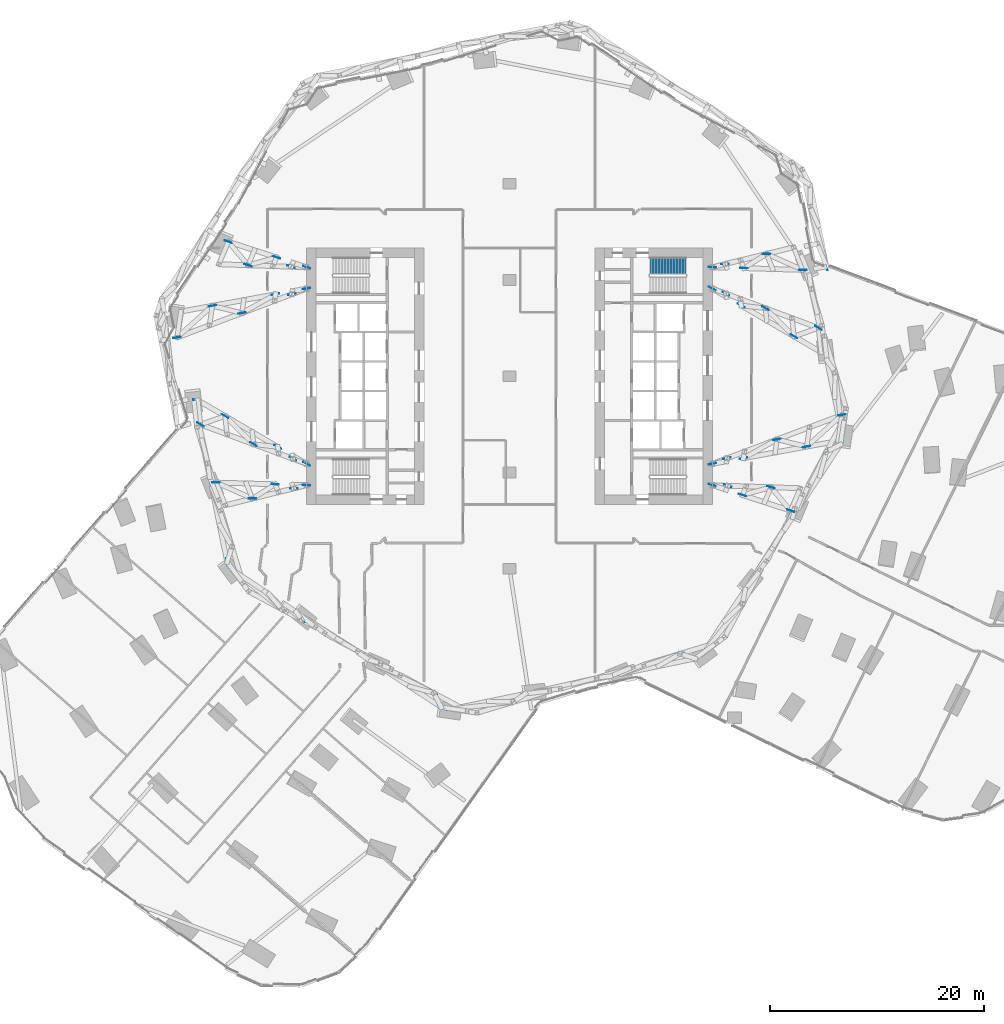
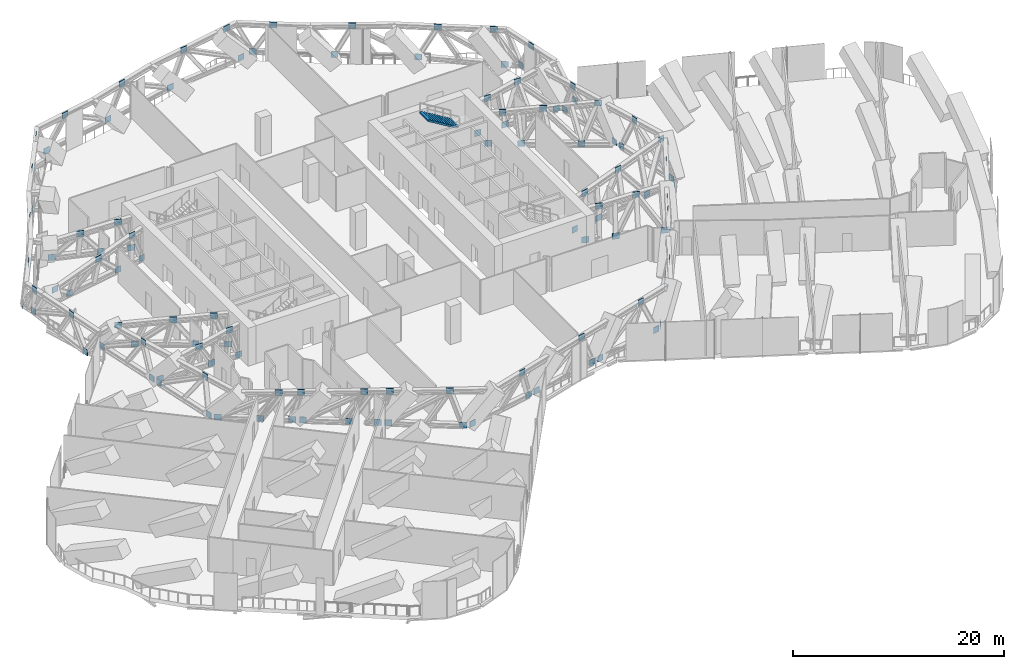
# One storey, part 31 of 34: 3 discrete accessories, 1 stair flight, 1 element without a shape of its own.
"""IFC4 building model written with IfcOpenShell, lengths in metres."""

from ifc_helpers import new_model, si_unit, direction, frame, origin, origin_2d, place, context, subcontext, project, spatial, polyline, rectangle, outline, extrude, material, layer, layer_set, type_object, element, aggregate, save


model = new_model("IFC4")

# Units and contexts
model_context = context("Model", 3, precision=1e-05, world=origin(), true_north=direction((0.0, 1.0)))
body_context = subcontext(model_context, "Body", "Model", "MODEL_VIEW")
ifc_project = project(units=[si_unit("LENGTHUNIT", "METRE"), si_unit("AREAUNIT", "SQUARE_METRE"), si_unit("VOLUMEUNIT", "CUBIC_METRE"), si_unit("PLANEANGLEUNIT", "RADIAN"), si_unit("MASSUNIT", "GRAM", prefix="KILO")], contexts=[model_context])

# Site, building, storey
site_placement = place(None, origin())
site = spatial("IfcSite", under=ifc_project, at=site_placement, CompositionType="ELEMENT")
building_placement = place(site_placement, origin())
building = spatial("IfcBuilding", under=site, at=building_placement, Name="Orlundy Tower", CompositionType="ELEMENT")
storey_placement = place(building_placement, frame((0.0, 0.0, 76.300048828125)))
storey = spatial("IfcBuildingStorey", under=building, at=storey_placement, Name="L18", CompositionType="ELEMENT", Elevation=76.300048828125)

# Stair, stair flight
ifc_material_1 = material(Name="Concrete C50/60", Category="concrete")
stair_type = type_object("IfcStairType", Name="Exit Stair 26 risers", PredefinedType="HALF_TURN_STAIR", material=ifc_material_1)
stair_placement = place(storey_placement, origin())
stair = element("IfcStair", 1, at=stair_placement, inside=storey, type_object=stair_type, Name="L18 Exit Stair ST-E2", PredefinedType="HALF_TURN_STAIR")
ifc_material_2 = material(Name="Concrete C50/60", Category="concrete")
stair_flight_type = type_object("IfcStairFlightType", Name="Stair Flight 13 risers", PredefinedType="STRAIGHT", material=ifc_material_2)
stair_flight_placement = place(storey_placement, frame((16.5, 10.300048828125, 2.199951171875), z_axis=(0.0, 0.0, 1.0), x_axis=(-1.0, 0.0, 0.0)))
stair_flight = element("IfcStairFlight", 2, at=stair_flight_placement, type_object=stair_flight_type, Name="ST-E2 flight 2", NumberOfRisers=13, NumberOfTreads=12, PredefinedType="STRAIGHT", RiserHeight=0.169230769, TreadLength=0.28, context=body_context, shape_type="SweptSolid", body=[
    extrude(outline(polyline([(0.0, 0.0), (0.0, 0.169189453125), (0.280029296875, 0.169189453125), (0.280029296875, 0.33837890625), (0.56005859375, 0.33837890625), (0.56005859375, 0.5078125), (0.840087890625, 0.5078125), (0.840087890625, 0.677001953125), (1.1201171875, 0.677001953125), (1.1201171875, 0.84619140625), (1.39990234375, 0.84619140625), (1.39990234375, 1.015380859375), (1.679931640625, 1.015380859375), (1.679931640625, 1.1845703125), (1.9599609375, 1.1845703125), (1.9599609375, 1.353759765625), (2.239990234375, 1.353759765625), (2.239990234375, 1.523193359375), (2.52001953125, 1.523193359375), (2.52001953125, 1.6923828125), (2.800048828125, 1.6923828125), (2.800048828125, 1.861572265625), (3.080078125, 1.861572265625), (3.080078125, 2.03076171875), (3.360107421875, 2.03076171875), (3.360107421875, 2.199951171875), (3.360107421875, 1.855712890625), (0.289794921875, 0.0), (0.0, 0.0)])), frame((0.0, 0.800048828125, 0.0), z_axis=(0.0, -1.0, 0.0), x_axis=(1.0, 0.0, 0.0)), (0.0, 0.0, 1.0), 1.60009765625),
])
aggregate(stair, [stair_flight])

# Discrete accessories
ifc_material_3 = material(Name="Steel ASTM A572 Gr 50", Category="steel")
ifc_layer = layer(ifc_material_3, 0.0400390625)
ifc_layer_set = layer_set([ifc_layer], Name="CONNECTION PLATES")
discrete_accessory_type = type_object("IfcDiscreteAccessoryType", Name="CONNECTION PLATES", PredefinedType="ANCHORPLATE", material=ifc_layer_set)
discrete_accessory_1_placement = place(storey_placement, frame((0.0, 0.0, -76.300048828125)))
element("IfcDiscreteAccessory", 3, at=discrete_accessory_1_placement, inside=storey, type_object=discrete_accessory_type, Name="Connection plates BELT-L18", PredefinedType="ANCHORPLATE", context=body_context, shape_type="SweptSolid", body=[
    extrude(rectangle(XDim=0.699951171875, YDim=0.0400390625, at=origin_2d()), frame((-29.500244140625, -2.482666015625, 76.23486328125), z_axis=(0.0, 0.0, 1.0), x_axis=(0.202701841274, -0.979240503423, 0.0)), (0.0, 0.0, 1.0), 0.699951171875),
    extrude(rectangle(XDim=0.699951171875, YDim=0.0400390625, at=origin_2d()), frame((-28.22607421875, -8.157470703125, 79.6650390625), z_axis=(0.0, 0.0, 1.0), x_axis=(0.202701841274, -0.979240503423, 0.0)), (0.0, 0.0, 1.0), 0.699951171875),
    extrude(rectangle(XDim=0.699951171875, YDim=0.0400390625, at=origin_2d()), frame((-28.060791015625, -9.43701171875, 76.23486328125), z_axis=(0.0, 0.0, 1.0), x_axis=(0.202701841274, -0.979240503423, 0.0)), (0.0, 0.0, 1.0), 0.699951171875),
    extrude(rectangle(XDim=0.699951171875, YDim=0.0400390625, at=origin_2d()), frame((-27.85498046875, -10.430908203125, 76.23486328125), z_axis=(0.0, 0.0, 1.0), x_axis=(0.202736023092, -0.979233427197, 0.0)), (0.0, 0.0, 1.0), 0.699951171875),
    extrude(rectangle(XDim=0.699951171875, YDim=0.0400390625, at=origin_2d()), frame((-25.973876953125, -15.951416015625, 79.6650390625), z_axis=(0.0, 0.0, 1.0), x_axis=(0.202736023092, -0.979233427197, 0.0)), (0.0, 0.0, 1.0), 0.699951171875),
    extrude(rectangle(XDim=0.699951171875, YDim=0.0400390625, at=origin_2d()), frame((-26.415283203125, -17.38427734375, 76.23486328125), z_axis=(0.0, 0.0, 1.0), x_axis=(0.202736023092, -0.979233427197, 0.0)), (0.0, 0.0, 1.0), 0.699951171875),
    extrude(rectangle(XDim=0.699951171875, YDim=0.0400390625, at=origin_2d()), frame((-25.88818359375, -18.159912109375, 76.23486328125), z_axis=(0.0, 0.0, 1.0), x_axis=(0.835788196347, -0.549051992844, 0.0)), (0.0, 0.0, 1.0), 0.699951171875),
    extrude(rectangle(XDim=0.699951171875, YDim=0.0400390625, at=origin_2d()), frame((-21.29541015625, -21.80810546875, 79.6650390625), z_axis=(0.0, 0.0, 1.0), x_axis=(0.835788196347, -0.549051992844, 0.0)), (0.0, 0.0, 1.0), 0.699951171875),
    extrude(rectangle(XDim=0.699951171875, YDim=0.0400390625, at=origin_2d()), frame((-22.49755859375, -20.387451171875, 76.23486328125), z_axis=(0.0, 0.0, 1.0), x_axis=(0.835788196347, -0.549051992844, 0.0)), (0.0, 0.0, 1.0), 0.699951171875),
    extrude(rectangle(XDim=0.699951171875, YDim=0.0400390625, at=origin_2d()), frame((-19.43994140625, -22.80517578125, 79.6650390625), z_axis=(0.0, 0.0, 1.0), x_axis=(0.835788196347, -0.549051992844, 0.0)), (0.0, 0.0, 1.0), 0.699951171875),
    extrude(rectangle(XDim=0.699951171875, YDim=0.0400390625, at=origin_2d()), frame((-19.952880859375, -22.05908203125, 76.23486328125), z_axis=(0.0, 0.0, 1.0), x_axis=(0.835788196347, -0.549051992844, 0.0)), (0.0, 0.0, 1.0), 0.699951171875),
    extrude(rectangle(XDim=0.699951171875, YDim=0.0400390625, at=origin_2d()), frame((-19.1044921875, -22.6162109375, 76.23486328125), z_axis=(0.0, 0.0, 1.0), x_axis=(0.835845688355, -0.548964466299, 0.0)), (0.0, 0.0, 1.0), 0.699951171875),
    extrude(rectangle(XDim=0.699951171875, YDim=0.0400390625, at=origin_2d()), frame((-14.19091796875, -25.726806640625, 79.6650390625), z_axis=(0.0, 0.0, 1.0), x_axis=(0.835845688355, -0.548964466299, 0.0)), (0.0, 0.0, 1.0), 0.699951171875),
    extrude(rectangle(XDim=0.699951171875, YDim=0.0400390625, at=origin_2d()), frame((-15.4501953125, -25.016357421875, 76.23486328125), z_axis=(0.0, 0.0, 1.0), x_axis=(0.835845688355, -0.548964466299, 0.0)), (0.0, 0.0, 1.0), 0.699951171875),
    extrude(rectangle(XDim=0.699951171875, YDim=0.0400390625, at=origin_2d()), frame((-12.057373046875, -26.872802734375, 79.6650390625), z_axis=(0.0, 0.0, 1.0), x_axis=(0.835845688355, -0.548964466299, 0.0)), (0.0, 0.0, 1.0), 0.699951171875),
    extrude(rectangle(XDim=0.699951171875, YDim=0.0400390625, at=origin_2d()), frame((-13.169189453125, -26.514404296875, 76.23486328125), z_axis=(0.0, 0.0, 1.0), x_axis=(0.835845688355, -0.548964466299, 0.0)), (0.0, 0.0, 1.0), 0.699951171875),
    extrude(rectangle(XDim=0.699951171875, YDim=0.0400390625, at=origin_2d()), frame((-12.321044921875, -27.07177734375, 76.23486328125), z_axis=(0.0, 0.0, 1.0), x_axis=(0.835788196347, -0.549051992844, 0.0)), (0.0, 0.0, 1.0), 0.699951171875),
    extrude(rectangle(XDim=0.699951171875, YDim=0.0400390625, at=origin_2d()), frame((-7.08642578125, -29.6455078125, 79.6650390625), z_axis=(0.0, 0.0, 1.0), x_axis=(0.835788196347, -0.549051992844, 0.0)), (0.0, 0.0, 1.0), 0.699951171875),
    extrude(rectangle(XDim=0.699951171875, YDim=0.0400390625, at=origin_2d()), frame((-6.3857421875, -30.970947265625, 76.23486328125), z_axis=(0.0, 0.0, 1.0), x_axis=(0.835788196347, -0.549051992844, 0.0)), (0.0, 0.0, 1.0), 0.699951171875),
    extrude(rectangle(XDim=0.699951171875, YDim=0.0400390625, at=origin_2d()), frame((-5.464599609375, -31.146484375, 76.23486328125), z_axis=(0.0, 0.0, 1.0), x_axis=(0.979208651012, 0.202855657511, 0.0)), (0.0, 0.0, 1.0), 0.699951171875),
    extrude(rectangle(XDim=0.699951171875, YDim=0.0400390625, at=origin_2d()), frame((0.36279296875, -30.478515625, 79.6650390625), z_axis=(0.0, 0.0, 1.0), x_axis=(0.979208651012, 0.202855657511, 0.0)), (0.0, 0.0, 1.0), 0.699951171875),
    extrude(rectangle(XDim=0.699951171875, YDim=0.0400390625, at=origin_2d()), frame((1.48876953125, -29.7060546875, 76.23486328125), z_axis=(0.0, 0.0, 1.0), x_axis=(0.979208651012, 0.202855657511, 0.0)), (0.0, 0.0, 1.0), 0.699951171875),
    extrude(rectangle(XDim=0.699951171875, YDim=0.0400390625, at=origin_2d()), frame((2.482666015625, -29.500244140625, 76.23486328125), z_axis=(0.0, 0.0, 1.0), x_axis=(0.979240503423, 0.202701841274, 0.0)), (0.0, 0.0, 1.0), 0.699951171875),
    extrude(rectangle(XDim=0.699951171875, YDim=0.0400390625, at=origin_2d()), frame((8.157470703125, -28.22607421875, 79.6650390625), z_axis=(0.0, 0.0, 1.0), x_axis=(0.979240503423, 0.202701841274, 0.0)), (0.0, 0.0, 1.0), 0.699951171875),
    extrude(rectangle(XDim=0.699951171875, YDim=0.0400390625, at=origin_2d()), frame((9.43701171875, -28.060791015625, 76.23486328125), z_axis=(0.0, 0.0, 1.0), x_axis=(0.979240503423, 0.202701841274, 0.0)), (0.0, 0.0, 1.0), 0.699951171875),
    extrude(rectangle(XDim=0.699951171875, YDim=0.0400390625, at=origin_2d()), frame((10.430908203125, -27.85498046875, 76.23486328125), z_axis=(0.0, 0.0, 1.0), x_axis=(0.979233427197, 0.202736023092, 0.0)), (0.0, 0.0, 1.0), 0.699951171875),
    extrude(rectangle(XDim=0.699951171875, YDim=0.0400390625, at=origin_2d()), frame((15.951416015625, -25.973876953125, 79.6650390625), z_axis=(0.0, 0.0, 1.0), x_axis=(0.979233427197, 0.202736023092, 0.0)), (0.0, 0.0, 1.0), 0.699951171875),
    extrude(rectangle(XDim=0.699951171875, YDim=0.0400390625, at=origin_2d()), frame((17.38427734375, -26.415283203125, 76.23486328125), z_axis=(0.0, 0.0, 1.0), x_axis=(0.979233427197, 0.202736023092, 0.0)), (0.0, 0.0, 1.0), 0.699951171875),
    extrude(rectangle(XDim=0.699951171875, YDim=0.0400390625, at=origin_2d()), frame((18.159912109375, -25.88818359375, 76.23486328125), z_axis=(0.0, 0.0, 1.0), x_axis=(0.549051992844, 0.835788196347, 0.0)), (0.0, 0.0, 1.0), 0.699951171875),
    extrude(rectangle(XDim=0.699951171875, YDim=0.0400390625, at=origin_2d()), frame((21.80810546875, -21.29541015625, 79.6650390625), z_axis=(0.0, 0.0, 1.0), x_axis=(0.549051992844, 0.835788196347, 0.0)), (0.0, 0.0, 1.0), 0.699951171875),
    extrude(rectangle(XDim=0.699951171875, YDim=0.0400390625, at=origin_2d()), frame((22.05908203125, -19.952880859375, 76.23486328125), z_axis=(0.0, 0.0, 1.0), x_axis=(0.549051992844, 0.835788196347, 0.0)), (0.0, 0.0, 1.0), 0.699951171875),
    extrude(rectangle(XDim=0.699951171875, YDim=0.0400390625, at=origin_2d()), frame((22.6162109375, -19.1044921875, 76.23486328125), z_axis=(0.0, 0.0, 1.0), x_axis=(0.548964466299, 0.835845688355, 0.0)), (0.0, 0.0, 1.0), 0.699951171875),
    extrude(rectangle(XDim=0.699951171875, YDim=0.0400390625, at=origin_2d()), frame((25.726806640625, -14.19091796875, 79.6650390625), z_axis=(0.0, 0.0, 1.0), x_axis=(0.548964466299, 0.835845688355, 0.0)), (0.0, 0.0, 1.0), 0.699951171875),
    extrude(rectangle(XDim=0.699951171875, YDim=0.0400390625, at=origin_2d()), frame((24.785888671875, -15.801513671875, 76.23486328125), z_axis=(0.0, 0.0, 1.0), x_axis=(0.548964466299, 0.835845688355, 0.0)), (0.0, 0.0, 1.0), 0.699951171875),
    extrude(rectangle(XDim=0.699951171875, YDim=0.0400390625, at=origin_2d()), frame((26.674072265625, -12.427490234375, 79.6650390625), z_axis=(0.0, 0.0, 1.0), x_axis=(0.548964466299, 0.835845688355, 0.0)), (0.0, 0.0, 1.0), 0.699951171875),
    extrude(rectangle(XDim=0.699951171875, YDim=0.0400390625, at=origin_2d()), frame((26.514404296875, -13.169189453125, 76.23486328125), z_axis=(0.0, 0.0, 1.0), x_axis=(0.548964466299, 0.835845688355, 0.0)), (0.0, 0.0, 1.0), 0.699951171875),
    extrude(rectangle(XDim=0.699951171875, YDim=0.0400390625, at=origin_2d()), frame((27.07177734375, -12.321044921875, 76.23486328125), z_axis=(0.0, 0.0, 1.0), x_axis=(0.549051992844, 0.835788196347, 0.0)), (0.0, 0.0, 1.0), 0.699951171875),
    extrude(rectangle(XDim=0.699951171875, YDim=0.0400390625, at=origin_2d()), frame((29.6455078125, -7.08642578125, 79.6650390625), z_axis=(0.0, 0.0, 1.0), x_axis=(0.549051992844, 0.835788196347, 0.0)), (0.0, 0.0, 1.0), 0.699951171875),
    extrude(rectangle(XDim=0.699951171875, YDim=0.0400390625, at=origin_2d()), frame((30.970947265625, -6.3857421875, 76.23486328125), z_axis=(0.0, 0.0, 1.0), x_axis=(0.549051992844, 0.835788196347, 0.0)), (0.0, 0.0, 1.0), 0.699951171875),
    extrude(rectangle(XDim=0.699951171875, YDim=0.0400390625, at=origin_2d()), frame((31.146484375, -5.464599609375, 76.23486328125), z_axis=(0.0, 0.0, 1.0), x_axis=(-0.202855657511, 0.979208651012, 0.0)), (0.0, 0.0, 1.0), 0.699951171875),
    extrude(rectangle(XDim=0.699951171875, YDim=0.0400390625, at=origin_2d()), frame((30.478515625, 0.36279296875, 79.6650390625), z_axis=(0.0, 0.0, 1.0), x_axis=(-0.202855657511, 0.979208651012, 0.0)), (0.0, 0.0, 1.0), 0.699951171875),
    extrude(rectangle(XDim=0.699951171875, YDim=0.0400390625, at=origin_2d()), frame((29.7060546875, 1.48876953125, 76.23486328125), z_axis=(0.0, 0.0, 1.0), x_axis=(-0.202855657511, 0.979208651012, 0.0)), (0.0, 0.0, 1.0), 0.699951171875),
    extrude(rectangle(XDim=0.699951171875, YDim=0.0400390625, at=origin_2d()), frame((29.500244140625, 2.482666015625, 76.23486328125), z_axis=(0.0, 0.0, 1.0), x_axis=(-0.202701841274, 0.979240503423, 0.0)), (0.0, 0.0, 1.0), 0.699951171875),
    extrude(rectangle(XDim=0.699951171875, YDim=0.0400390625, at=origin_2d()), frame((28.22607421875, 8.157470703125, 79.6650390625), z_axis=(0.0, 0.0, 1.0), x_axis=(-0.202701841274, 0.979240503423, 0.0)), (0.0, 0.0, 1.0), 0.699951171875),
    extrude(rectangle(XDim=0.699951171875, YDim=0.0400390625, at=origin_2d()), frame((28.060791015625, 9.43701171875, 76.23486328125), z_axis=(0.0, 0.0, 1.0), x_axis=(-0.202701841274, 0.979240503423, 0.0)), (0.0, 0.0, 1.0), 0.699951171875),
    extrude(rectangle(XDim=0.699951171875, YDim=0.0400390625, at=origin_2d()), frame((29.6708984375, 10.27734375, 76.23486328125), z_axis=(0.0, 0.0, 1.0), x_axis=(-0.196493792197, 0.98050506864, 0.0)), (0.0, 0.0, 1.0), 0.699951171875),
    extrude(rectangle(XDim=0.699951171875, YDim=0.0400390625, at=origin_2d()), frame((28.115478515625, 15.87939453125, 79.6650390625), z_axis=(0.0, 0.0, 1.0), x_axis=(-0.196493792197, 0.98050506864, 0.0)), (0.0, 0.0, 1.0), 0.699951171875),
    extrude(rectangle(XDim=0.699951171875, YDim=0.0400390625, at=origin_2d()), frame((28.146484375, 17.884033203125, 76.23486328125), z_axis=(0.0, 0.0, 1.0), x_axis=(-0.196493792197, 0.98050506864, 0.0)), (0.0, 0.0, 1.0), 0.699951171875),
    extrude(rectangle(XDim=0.699951171875, YDim=0.0400390625, at=origin_2d()), frame((26.4150390625, 20.028564453125, 79.6650390625), z_axis=(0.0, 0.0, 1.0), x_axis=(-0.832321925888, 0.55429253259, 0.0)), (0.0, 0.0, 1.0), 0.699951171875),
    extrude(rectangle(XDim=0.699951171875, YDim=0.0400390625, at=origin_2d()), frame((26.877197265625, 18.7294921875, 76.23486328125), z_axis=(0.0, 0.0, 1.0), x_axis=(-0.832321925888, 0.55429253259, 0.0)), (0.0, 0.0, 1.0), 0.699951171875),
    extrude(rectangle(XDim=0.699951171875, YDim=0.0400390625, at=origin_2d()), frame((21.99951171875, 23.025146484375, 79.6650390625), z_axis=(0.0, 0.0, 1.0), x_axis=(-0.781422464, 0.624002349961, 0.0)), (0.0, 0.0, 1.0), 0.699951171875),
    extrude(rectangle(XDim=0.699951171875, YDim=0.0400390625, at=origin_2d()), frame((20.3720703125, 23.924072265625, 76.23486328125), z_axis=(0.0, 0.0, 1.0), x_axis=(-0.781422464, 0.624002349961, 0.0)), (0.0, 0.0, 1.0), 0.699951171875),
    extrude(rectangle(XDim=0.699951171875, YDim=0.0400390625, at=origin_2d()), frame((15.09716796875, 27.247314453125, 79.6650390625), z_axis=(0.0, 0.0, 1.0), x_axis=(-0.838680073562, 0.544624397369, 0.0)), (0.0, 0.0, 1.0), 0.699951171875),
    extrude(rectangle(XDim=0.699951171875, YDim=0.0400390625, at=origin_2d()), frame((13.714111328125, 28.247802734375, 76.23486328125), z_axis=(0.0, 0.0, 1.0), x_axis=(-0.838680073562, 0.544624397369, 0.0)), (0.0, 0.0, 1.0), 0.699951171875),
    extrude(rectangle(XDim=0.699951171875, YDim=0.0400390625, at=origin_2d()), frame((8.65234375, 31.10888671875, 79.6650390625), z_axis=(0.0, 0.0, 1.0), x_axis=(-0.832263875946, 0.554379690099, 0.0)), (0.0, 0.0, 1.0), 0.699951171875),
    extrude(rectangle(XDim=0.699951171875, YDim=0.0400390625, at=origin_2d()), frame((7.258056640625, 32.548095703125, 76.23486328125), z_axis=(0.0, 0.0, 1.0), x_axis=(-0.832263875946, 0.554379690099, 0.0)), (0.0, 0.0, 1.0), 0.699951171875),
    extrude(rectangle(XDim=0.699951171875, YDim=0.0400390625, at=origin_2d()), frame((4.515869140625, 32.840576171875, 79.6650390625), z_axis=(0.0, 0.0, 1.0), x_axis=(-0.98051192697, -0.196459565994, 0.0)), (0.0, 0.0, 1.0), 0.699951171875),
    extrude(rectangle(XDim=0.699951171875, YDim=0.0400390625, at=origin_2d()), frame((5.761474609375, 32.248291015625, 76.23486328125), z_axis=(0.0, 0.0, 1.0), x_axis=(-0.98051192697, -0.196459565994, 0.0)), (0.0, 0.0, 1.0), 0.699951171875),
    extrude(rectangle(XDim=0.699951171875, YDim=0.0400390625, at=origin_2d()), frame((-0.7255859375, 31.837158203125, 79.6650390625), z_axis=(0.0, 0.0, 1.0), x_axis=(-0.993785416399, -0.111312830132, 0.0)), (0.0, 0.0, 1.0), 0.699951171875),
    extrude(rectangle(XDim=0.699951171875, YDim=0.0400390625, at=origin_2d()), frame((-2.51123046875, 31.32177734375, 76.23486328125), z_axis=(0.0, 0.0, 1.0), x_axis=(-0.993785416399, -0.111312830132, 0.0)), (0.0, 0.0, 1.0), 0.699951171875),
    extrude(rectangle(XDim=0.699951171875, YDim=0.0400390625, at=origin_2d()), frame((-8.591796875, 29.94189453125, 79.6650390625), z_axis=(0.0, 0.0, 1.0), x_axis=(-0.978143971841, -0.207928762682, 0.0)), (0.0, 0.0, 1.0), 0.699951171875),
    extrude(rectangle(XDim=0.699951171875, YDim=0.0400390625, at=origin_2d()), frame((-10.27734375, 29.6708984375, 76.23486328125), z_axis=(0.0, 0.0, 1.0), x_axis=(-0.978143971841, -0.207928762682, 0.0)), (0.0, 0.0, 1.0), 0.699951171875),
    extrude(rectangle(XDim=0.699951171875, YDim=0.0400390625, at=origin_2d()), frame((-15.87939453125, 28.115478515625, 79.6650390625), z_axis=(0.0, 0.0, 1.0), x_axis=(-0.980508497954, -0.196476679125, 0.0)), (0.0, 0.0, 1.0), 0.699951171875),
    extrude(rectangle(XDim=0.699951171875, YDim=0.0400390625, at=origin_2d()), frame((-17.884033203125, 28.146484375, 76.23486328125), z_axis=(0.0, 0.0, 1.0), x_axis=(-0.980508497954, -0.196476679125, 0.0)), (0.0, 0.0, 1.0), 0.699951171875),
    extrude(rectangle(XDim=0.699951171875, YDim=0.0400390625, at=origin_2d()), frame((-20.028564453125, 26.4150390625, 79.6650390625), z_axis=(0.0, 0.0, 1.0), x_axis=(-0.55429253259, -0.832321925888, 0.0)), (0.0, 0.0, 1.0), 0.699951171875),
    extrude(rectangle(XDim=0.699951171875, YDim=0.0400390625, at=origin_2d()), frame((-18.7294921875, 26.877197265625, 76.23486328125), z_axis=(0.0, 0.0, 1.0), x_axis=(-0.55429253259, -0.832321925888, 0.0)), (0.0, 0.0, 1.0), 0.699951171875),
    extrude(rectangle(XDim=0.699951171875, YDim=0.0400390625, at=origin_2d()), frame((-23.025146484375, 21.99951171875, 79.6650390625), z_axis=(0.0, 0.0, 1.0), x_axis=(-0.624002349961, -0.781422464, 0.0)), (0.0, 0.0, 1.0), 0.699951171875),
    extrude(rectangle(XDim=0.699951171875, YDim=0.0400390625, at=origin_2d()), frame((-23.924072265625, 20.3720703125, 76.23486328125), z_axis=(0.0, 0.0, 1.0), x_axis=(-0.624002349961, -0.781422464, 0.0)), (0.0, 0.0, 1.0), 0.699951171875),
    extrude(rectangle(XDim=0.699951171875, YDim=0.0400390625, at=origin_2d()), frame((-27.247314453125, 15.09716796875, 79.6650390625), z_axis=(0.0, 0.0, 1.0), x_axis=(-0.544624397369, -0.838680073562, 0.0)), (0.0, 0.0, 1.0), 0.699951171875),
    extrude(rectangle(XDim=0.699951171875, YDim=0.0400390625, at=origin_2d()), frame((-28.247802734375, 13.714111328125, 76.23486328125), z_axis=(0.0, 0.0, 1.0), x_axis=(-0.544624397369, -0.838680073562, 0.0)), (0.0, 0.0, 1.0), 0.699951171875),
    extrude(rectangle(XDim=0.699951171875, YDim=0.0400390625, at=origin_2d()), frame((-31.10888671875, 8.65234375, 79.6650390625), z_axis=(0.0, 0.0, 1.0), x_axis=(-0.554379690099, -0.832263875946, 0.0)), (0.0, 0.0, 1.0), 0.699951171875),
    extrude(rectangle(XDim=0.699951171875, YDim=0.0400390625, at=origin_2d()), frame((-32.548095703125, 7.258056640625, 76.23486328125), z_axis=(0.0, 0.0, 1.0), x_axis=(-0.554379690099, -0.832263875946, 0.0)), (0.0, 0.0, 1.0), 0.699951171875),
    extrude(rectangle(XDim=0.699951171875, YDim=0.0400390625, at=origin_2d()), frame((-32.840576171875, 4.515869140625, 79.6650390625), z_axis=(0.0, 0.0, 1.0), x_axis=(0.196459565994, -0.98051192697, 0.0)), (0.0, 0.0, 1.0), 0.699951171875),
    extrude(rectangle(XDim=0.699951171875, YDim=0.0400390625, at=origin_2d()), frame((-32.248291015625, 5.761474609375, 76.23486328125), z_axis=(0.0, 0.0, 1.0), x_axis=(0.196459565994, -0.98051192697, 0.0)), (0.0, 0.0, 1.0), 0.699951171875),
    extrude(rectangle(XDim=0.699951171875, YDim=0.0400390625, at=origin_2d()), frame((-31.837158203125, -0.7255859375, 79.6650390625), z_axis=(0.0, 0.0, 1.0), x_axis=(0.111330174943, -0.993783473473, 0.0)), (0.0, 0.0, 1.0), 0.699951171875),
    extrude(rectangle(XDim=0.699951171875, YDim=0.0400390625, at=origin_2d()), frame((-31.321533203125, -2.51123046875, 76.23486328125), z_axis=(0.0, 0.0, 1.0), x_axis=(0.111330174943, -0.993783473473, 0.0)), (0.0, 0.0, 1.0), 0.699951171875),
])
discrete_accessory_2_placement = place(storey_placement, frame((0.0, 0.0, -76.300048828125)))
element("IfcDiscreteAccessory", 4, at=discrete_accessory_2_placement, inside=storey, type_object=discrete_accessory_type, Name="Connection plates OUTRIG-L18-E", PredefinedType="ANCHORPLATE", context=body_context, shape_type="SweptSolid", body=[
    extrude(rectangle(XDim=0.699951171875, YDim=0.0400390625, at=origin_2d()), frame((18.97998046875, -10.199951171875, 76.23486328125), z_axis=(0.0, 0.0, 1.0), x_axis=(0.95082433383, -0.309730667189, 0.0)), (0.0, 0.0, 1.0), 0.699951171875),
    extrude(rectangle(XDim=0.699951171875, YDim=0.0400390625, at=origin_2d()), frame((20.435791015625, -10.249755859375, 79.6650390625), z_axis=(0.0, 0.0, 1.0), x_axis=(0.95082433383, -0.309730667189, 0.0)), (0.0, 0.0, 1.0), 0.699951171875),
    extrude(rectangle(XDim=0.699951171875, YDim=0.0400390625, at=origin_2d()), frame((21.79931640625, -11.118408203125, 76.23486328125), z_axis=(0.0, 0.0, 1.0), x_axis=(0.95082433383, -0.309730667189, 0.0)), (0.0, 0.0, 1.0), 0.699951171875),
    extrude(rectangle(XDim=0.699951171875, YDim=0.0400390625, at=origin_2d()), frame((24.462158203125, -10.387451171875, 79.6650390625), z_axis=(0.0, 0.0, 1.0), x_axis=(0.95082433383, -0.309730667189, 0.0)), (0.0, 0.0, 1.0), 0.699951171875),
    extrude(rectangle(XDim=0.699951171875, YDim=0.0400390625, at=origin_2d()), frame((26.310546875, -12.587890625, 76.23486328125), z_axis=(0.0, 0.0, 1.0), x_axis=(0.95082433383, -0.309730667189, 0.0)), (0.0, 0.0, 1.0), 0.699951171875),
    extrude(rectangle(XDim=0.699951171875, YDim=0.0400390625, at=origin_2d()), frame((18.97998046875, -8.199951171875, 76.23486328125), z_axis=(0.0, 0.0, 1.0), x_axis=(0.983763103207, 0.179471882945, 0.0)), (0.0, 0.0, 1.0), 0.699951171875),
    extrude(rectangle(XDim=0.699951171875, YDim=0.0400390625, at=origin_2d()), frame((20.3603515625, -7.67919921875, 79.6650390625), z_axis=(0.0, 0.0, 1.0), x_axis=(0.983763103207, 0.179471882945, 0.0)), (0.0, 0.0, 1.0), 0.699951171875),
    extrude(rectangle(XDim=0.699951171875, YDim=0.0400390625, at=origin_2d()), frame((21.893798828125, -7.66845703125, 76.23486328125), z_axis=(0.0, 0.0, 1.0), x_axis=(0.983763103207, 0.179471882945, 0.0)), (0.0, 0.0, 1.0), 0.699951171875),
    extrude(rectangle(XDim=0.699951171875, YDim=0.0400390625, at=origin_2d()), frame((25.04296875, -5.912841796875, 79.6650390625), z_axis=(0.0, 0.0, 1.0), x_axis=(0.983763103207, 0.179471882945, 0.0)), (0.0, 0.0, 1.0), 0.699951171875),
    extrude(rectangle(XDim=0.699951171875, YDim=0.0400390625, at=origin_2d()), frame((27.8076171875, -6.589599609375, 76.23486328125), z_axis=(0.0, 0.0, 1.0), x_axis=(0.983763103207, 0.179471882945, 0.0)), (0.0, 0.0, 1.0), 0.699951171875),
    extrude(rectangle(XDim=0.699951171875, YDim=0.0400390625, at=origin_2d()), frame((31.105712890625, -3.62548828125, 79.6650390625), z_axis=(0.0, 0.0, 1.0), x_axis=(0.983763103207, 0.179471882945, 0.0)), (0.0, 0.0, 1.0), 0.699951171875),
    extrude(rectangle(XDim=0.699951171875, YDim=0.0400390625, at=origin_2d()), frame((18.97998046875, 8.199951171875, 76.23486328125), z_axis=(0.0, 0.0, 1.0), x_axis=(0.863166514346, -0.504919368328, 0.0)), (0.0, 0.0, 1.0), 0.699951171875),
    extrude(rectangle(XDim=0.699951171875, YDim=0.0400390625, at=origin_2d()), frame((20.266357421875, 7.722900390625, 79.6650390625), z_axis=(0.0, 0.0, 1.0), x_axis=(0.863166514346, -0.504919368328, 0.0)), (0.0, 0.0, 1.0), 0.699951171875),
    extrude(rectangle(XDim=0.699951171875, YDim=0.0400390625, at=origin_2d()), frame((21.679931640625, 6.62060546875, 76.23486328125), z_axis=(0.0, 0.0, 1.0), x_axis=(0.863166514346, -0.504919368328, 0.0)), (0.0, 0.0, 1.0), 0.699951171875),
    extrude(rectangle(XDim=0.699951171875, YDim=0.0400390625, at=origin_2d()), frame((23.947021484375, 6.358154296875, 79.6650390625), z_axis=(0.0, 0.0, 1.0), x_axis=(0.863166514346, -0.504919368328, 0.0)), (0.0, 0.0, 1.0), 0.699951171875),
    extrude(rectangle(XDim=0.699951171875, YDim=0.0400390625, at=origin_2d()), frame((26.618896484375, 3.7314453125, 76.23486328125), z_axis=(0.0, 0.0, 1.0), x_axis=(0.863166514346, -0.504919368328, 0.0)), (0.0, 0.0, 1.0), 0.699951171875),
    extrude(rectangle(XDim=0.699951171875, YDim=0.0400390625, at=origin_2d()), frame((28.9140625, 4.516357421875, 79.6650390625), z_axis=(0.0, 0.0, 1.0), x_axis=(0.863166514346, -0.504919368328, 0.0)), (0.0, 0.0, 1.0), 0.699951171875),
    extrude(rectangle(XDim=0.699951171875, YDim=0.0400390625, at=origin_2d()), frame((18.97998046875, 10.199951171875, 76.23486328125), z_axis=(0.0, 0.0, 1.0), x_axis=(0.99956141207, -0.029613907213, 0.0)), (0.0, 0.0, 1.0), 0.699951171875),
    extrude(rectangle(XDim=0.699951171875, YDim=0.0400390625, at=origin_2d()), frame((20.185546875, 10.49609375, 79.6650390625), z_axis=(0.0, 0.0, 1.0), x_axis=(0.99956141207, -0.029613907213, 0.0)), (0.0, 0.0, 1.0), 0.699951171875),
    extrude(rectangle(XDim=0.699951171875, YDim=0.0400390625, at=origin_2d()), frame((21.920654296875, 10.11279296875, 76.23486328125), z_axis=(0.0, 0.0, 1.0), x_axis=(0.99956141207, -0.029613907213, 0.0)), (0.0, 0.0, 1.0), 0.699951171875),
    extrude(rectangle(XDim=0.699951171875, YDim=0.0400390625, at=origin_2d()), frame((24.055419921875, 11.446533203125, 79.6650390625), z_axis=(0.0, 0.0, 1.0), x_axis=(0.99956141207, -0.029613907213, 0.0)), (0.0, 0.0, 1.0), 0.699951171875),
    extrude(rectangle(XDim=0.699951171875, YDim=0.0400390625, at=origin_2d()), frame((27.450439453125, 9.94921875, 76.23486328125), z_axis=(0.0, 0.0, 1.0), x_axis=(0.99956141207, -0.029613907213, 0.0)), (0.0, 0.0, 1.0), 0.699951171875),
])
discrete_accessory_3_placement = place(storey_placement, frame((0.0, 0.0, -76.300048828125)))
element("IfcDiscreteAccessory", 5, at=discrete_accessory_3_placement, inside=storey, type_object=discrete_accessory_type, Name="Connection plates OUTRIG-L18-W", PredefinedType="ANCHORPLATE", context=body_context, shape_type="SweptSolid", body=[
    extrude(rectangle(XDim=0.699951171875, YDim=0.0400390625, at=origin_2d()), frame((-18.97998046875, -10.199951171875, 76.23486328125), z_axis=(0.0, 0.0, 1.0), x_axis=(-0.99956141207, 0.029613907213, 0.0)), (0.0, 0.0, 1.0), 0.699951171875),
    extrude(rectangle(XDim=0.699951171875, YDim=0.0400390625, at=origin_2d()), frame((-20.185546875, -10.49609375, 79.6650390625), z_axis=(0.0, 0.0, 1.0), x_axis=(-0.99956141207, 0.029613907213, 0.0)), (0.0, 0.0, 1.0), 0.699951171875),
    extrude(rectangle(XDim=0.699951171875, YDim=0.0400390625, at=origin_2d()), frame((-21.920654296875, -10.11279296875, 76.23486328125), z_axis=(0.0, 0.0, 1.0), x_axis=(-0.99956141207, 0.029613907213, 0.0)), (0.0, 0.0, 1.0), 0.699951171875),
    extrude(rectangle(XDim=0.699951171875, YDim=0.0400390625, at=origin_2d()), frame((-24.055419921875, -11.446533203125, 79.6650390625), z_axis=(0.0, 0.0, 1.0), x_axis=(-0.99956141207, 0.029613907213, 0.0)), (0.0, 0.0, 1.0), 0.699951171875),
    extrude(rectangle(XDim=0.699951171875, YDim=0.0400390625, at=origin_2d()), frame((-27.450439453125, -9.94921875, 76.23486328125), z_axis=(0.0, 0.0, 1.0), x_axis=(-0.99956141207, 0.029613907213, 0.0)), (0.0, 0.0, 1.0), 0.699951171875),
    extrude(rectangle(XDim=0.699951171875, YDim=0.0400390625, at=origin_2d()), frame((-18.97998046875, -8.199951171875, 76.23486328125), z_axis=(0.0, 0.0, 1.0), x_axis=(-0.863166514346, 0.504919368328, 0.0)), (0.0, 0.0, 1.0), 0.699951171875),
    extrude(rectangle(XDim=0.699951171875, YDim=0.0400390625, at=origin_2d()), frame((-20.266357421875, -7.722900390625, 79.6650390625), z_axis=(0.0, 0.0, 1.0), x_axis=(-0.863166514346, 0.504919368328, 0.0)), (0.0, 0.0, 1.0), 0.699951171875),
    extrude(rectangle(XDim=0.699951171875, YDim=0.0400390625, at=origin_2d()), frame((-21.679931640625, -6.62060546875, 76.23486328125), z_axis=(0.0, 0.0, 1.0), x_axis=(-0.863166514346, 0.504919368328, 0.0)), (0.0, 0.0, 1.0), 0.699951171875),
    extrude(rectangle(XDim=0.699951171875, YDim=0.0400390625, at=origin_2d()), frame((-23.947021484375, -6.358154296875, 79.6650390625), z_axis=(0.0, 0.0, 1.0), x_axis=(-0.863166514346, 0.504919368328, 0.0)), (0.0, 0.0, 1.0), 0.699951171875),
    extrude(rectangle(XDim=0.699951171875, YDim=0.0400390625, at=origin_2d()), frame((-26.618896484375, -3.7314453125, 76.23486328125), z_axis=(0.0, 0.0, 1.0), x_axis=(-0.863166514346, 0.504919368328, 0.0)), (0.0, 0.0, 1.0), 0.699951171875),
    extrude(rectangle(XDim=0.699951171875, YDim=0.0400390625, at=origin_2d()), frame((-28.9140625, -4.516357421875, 79.6650390625), z_axis=(0.0, 0.0, 1.0), x_axis=(-0.863166514346, 0.504919368328, 0.0)), (0.0, 0.0, 1.0), 0.699951171875),
    extrude(rectangle(XDim=0.699951171875, YDim=0.0400390625, at=origin_2d()), frame((-18.97998046875, 8.199951171875, 76.23486328125), z_axis=(0.0, 0.0, 1.0), x_axis=(-0.983763103207, -0.179471882945, 0.0)), (0.0, 0.0, 1.0), 0.699951171875),
    extrude(rectangle(XDim=0.699951171875, YDim=0.0400390625, at=origin_2d()), frame((-20.3603515625, 7.67919921875, 79.6650390625), z_axis=(0.0, 0.0, 1.0), x_axis=(-0.983763103207, -0.179471882945, 0.0)), (0.0, 0.0, 1.0), 0.699951171875),
    extrude(rectangle(XDim=0.699951171875, YDim=0.0400390625, at=origin_2d()), frame((-21.893798828125, 7.66845703125, 76.23486328125), z_axis=(0.0, 0.0, 1.0), x_axis=(-0.983763103207, -0.179471882945, 0.0)), (0.0, 0.0, 1.0), 0.699951171875),
    extrude(rectangle(XDim=0.699951171875, YDim=0.0400390625, at=origin_2d()), frame((-25.04296875, 5.912841796875, 79.6650390625), z_axis=(0.0, 0.0, 1.0), x_axis=(-0.983763103207, -0.179471882945, 0.0)), (0.0, 0.0, 1.0), 0.699951171875),
    extrude(rectangle(XDim=0.699951171875, YDim=0.0400390625, at=origin_2d()), frame((-27.8076171875, 6.589599609375, 76.23486328125), z_axis=(0.0, 0.0, 1.0), x_axis=(-0.983763103207, -0.179471882945, 0.0)), (0.0, 0.0, 1.0), 0.699951171875),
    extrude(rectangle(XDim=0.699951171875, YDim=0.0400390625, at=origin_2d()), frame((-31.105712890625, 3.62548828125, 79.6650390625), z_axis=(0.0, 0.0, 1.0), x_axis=(-0.983763103207, -0.179471882945, 0.0)), (0.0, 0.0, 1.0), 0.699951171875),
    extrude(rectangle(XDim=0.699951171875, YDim=0.0400390625, at=origin_2d()), frame((-18.97998046875, 10.199951171875, 76.23486328125), z_axis=(0.0, 0.0, 1.0), x_axis=(-0.95082433383, 0.309730667189, 0.0)), (0.0, 0.0, 1.0), 0.699951171875),
    extrude(rectangle(XDim=0.699951171875, YDim=0.0400390625, at=origin_2d()), frame((-20.435791015625, 10.249755859375, 79.6650390625), z_axis=(0.0, 0.0, 1.0), x_axis=(-0.95082433383, 0.309730667189, 0.0)), (0.0, 0.0, 1.0), 0.699951171875),
    extrude(rectangle(XDim=0.699951171875, YDim=0.0400390625, at=origin_2d()), frame((-21.79931640625, 11.118408203125, 76.23486328125), z_axis=(0.0, 0.0, 1.0), x_axis=(-0.95082433383, 0.309730667189, 0.0)), (0.0, 0.0, 1.0), 0.699951171875),
    extrude(rectangle(XDim=0.699951171875, YDim=0.0400390625, at=origin_2d()), frame((-24.462158203125, 10.387451171875, 79.6650390625), z_axis=(0.0, 0.0, 1.0), x_axis=(-0.95082433383, 0.309730667189, 0.0)), (0.0, 0.0, 1.0), 0.699951171875),
    extrude(rectangle(XDim=0.699951171875, YDim=0.0400390625, at=origin_2d()), frame((-26.310546875, 12.587890625, 76.23486328125), z_axis=(0.0, 0.0, 1.0), x_axis=(-0.95082433383, 0.309730667189, 0.0)), (0.0, 0.0, 1.0), 0.699951171875),
])

save(model, "model.ifc")
